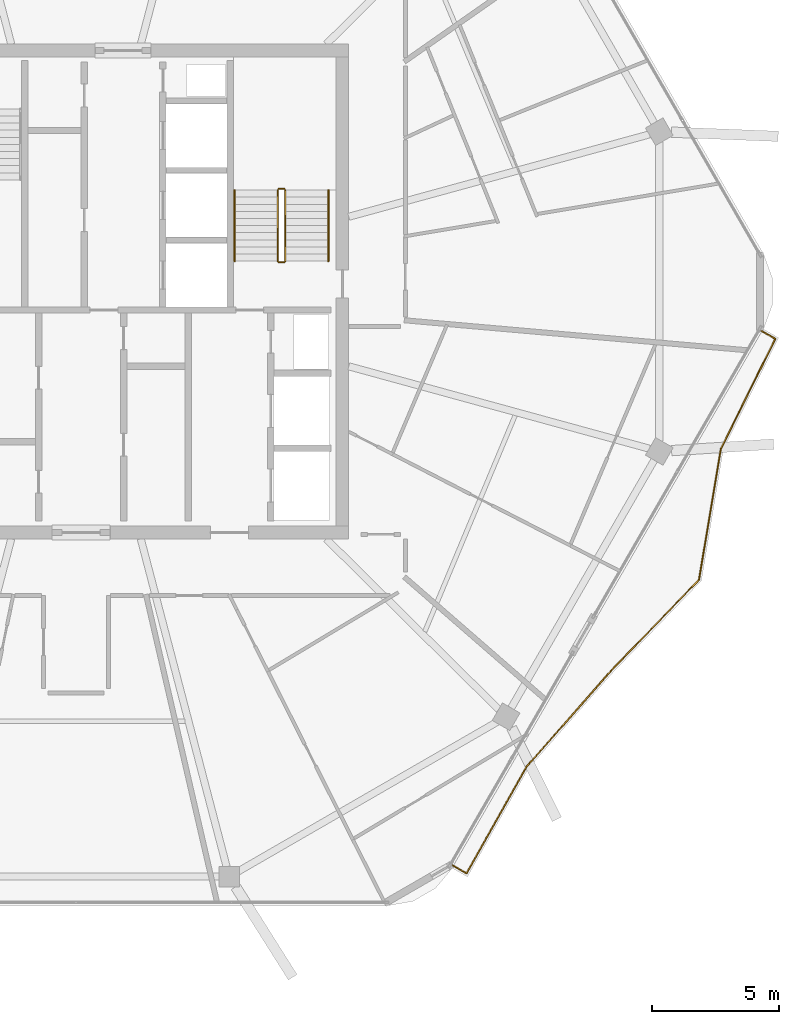
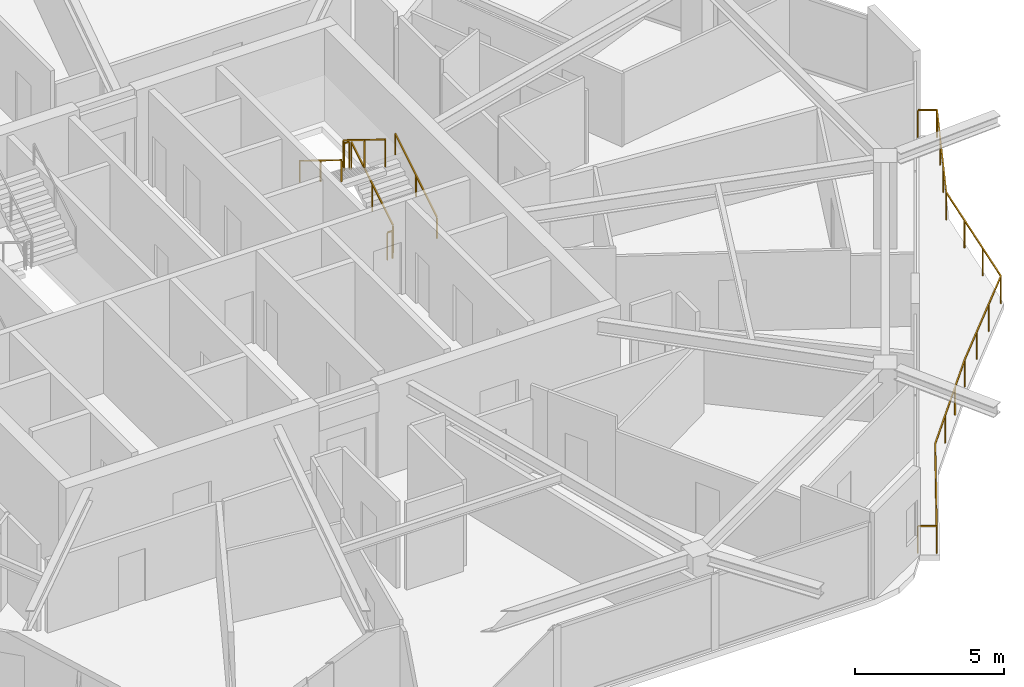
# One storey, part 18 of 19: 7 railings.
"""IFC4 building model written with IfcOpenShell, lengths in metres."""

from ifc_helpers import new_model, si_unit, direction, frame, origin, origin_2d, place, context, subcontext, project, spatial, rectangle, extrude, material, type_object, element, save


model = new_model("IFC4")

# Units and contexts
model_context = context("Model", 3, precision=1e-05, world=origin(), true_north=direction((0.0, 1.0)))
body_context = subcontext(model_context, "Body", "Model", "MODEL_VIEW")
ifc_project = project(units=[si_unit("LENGTHUNIT", "METRE"), si_unit("AREAUNIT", "SQUARE_METRE"), si_unit("VOLUMEUNIT", "CUBIC_METRE"), si_unit("PLANEANGLEUNIT", "RADIAN"), si_unit("MASSUNIT", "GRAM", prefix="KILO")], contexts=[model_context])

# Site, building, storey
site_placement = place(None, origin())
site = spatial("IfcSite", under=ifc_project, at=site_placement, CompositionType="ELEMENT")
building_placement = place(site_placement, origin())
building = spatial("IfcBuilding", under=site, at=building_placement, Name="Zuhravey Tower", CompositionType="ELEMENT")
storey_placement = place(building_placement, frame((0.0, 0.0, 327.199951171875)))
storey = spatial("IfcBuildingStorey", under=building, at=storey_placement, Name="L83", CompositionType="ELEMENT", Elevation=327.199951171875)

# Railings
ifc_material_1 = material(Name="Stainless steel 316 and laminated glass", Category="steel")
railing_type_1 = type_object("IfcRailingType", Name="Balcony & Terrace Guardrail 1150", PredefinedType="BALUSTRADE", material=ifc_material_1)
railing_1_placement = place(storey_placement, frame((63.006591796875, 30.45849609375, 0.0)))
element("IfcRailing", 1, at=railing_1_placement, inside=storey, type_object=railing_type_1, Name="L83 Face 6 Wave Balcony Guardrail GR1", PredefinedType="BALUSTRADE", context=body_context, shape_type="SweptSolid", body=[
    extrude(rectangle(XDim=0.048095703125, YDim=0.048095703125, at=origin_2d()), frame((0.001708984375, -0.0009765625, 1.1259765625), z_axis=(0.865908710228, -0.500202064721, 0.0), x_axis=(0.500202064721, 0.865908710228, 0.0)), (0.0, 0.0, 1.0), 0.642333984375),
    extrude(rectangle(XDim=0.048095703125, YDim=0.048095703125, at=origin_2d()), frame((0.55859375, -0.324951171875, 1.1259765625), z_axis=(-0.443394728576, -0.896326455412, 0.0), x_axis=(0.896326455412, -0.443394728576, 0.0)), (0.0, 0.0, 1.0), 4.834228515625),
    extrude(rectangle(XDim=0.048095703125, YDim=0.048095703125, at=origin_2d()), frame((-1.5859375, -4.661865234375, 1.1259765625), z_axis=(-0.164603610937, -0.986359798079, 0.0), x_axis=(0.986359798079, -0.164603610937, 0.0)), (0.0, 0.0, 1.0), 5.2197265625),
    extrude(rectangle(XDim=0.048095703125, YDim=0.048095703125, at=origin_2d()), frame((-2.447021484375, -9.81396484375, 1.1259765625), z_axis=(-0.69402232976, -0.719953474743, 0.0), x_axis=(0.719953474743, -0.69402232976, 0.0)), (0.0, 0.0, 1.0), 5.023681640625),
    extrude(rectangle(XDim=0.048095703125, YDim=0.048095703125, at=origin_2d()), frame((-5.93603515625, -13.43359375, 1.1259765625), z_axis=(-0.660956843047, -0.750423914618, 0.0), x_axis=(0.750423914618, -0.660956843047, 0.0)), (0.0, 0.0, 1.0), 5.014404296875),
    extrude(rectangle(XDim=0.048095703125, YDim=0.048095703125, at=origin_2d()), frame((-9.252685546875, -17.19970703125, 1.1259765625), z_axis=(-0.490605300097, -0.871381913696, 0.0), x_axis=(0.871381913696, -0.490605300097, 0.0)), (0.0, 0.0, 1.0), 4.81298828125),
    extrude(rectangle(XDim=0.048095703125, YDim=0.048095703125, at=origin_2d()), frame((-11.61669921875, -21.39453125, 1.1259765625), z_axis=(-0.865905532852, 0.500207565094, 0.0), x_axis=(-0.500207565094, -0.865905532852, 0.0)), (0.0, 0.0, 1.0), 0.635009765625),
    extrude(rectangle(XDim=0.0419921875, YDim=0.0419921875, at=origin_2d()), origin(), (0.0, 0.0, 1.0), 1.099853515625),
    extrude(rectangle(XDim=0.0419921875, YDim=0.0419921875, at=origin_2d()), frame((0.5595703125, -0.3232421875, 0.0)), (0.0, 0.0, 1.0), 1.099853515625),
    extrude(rectangle(XDim=0.0419921875, YDim=0.0419921875, at=origin_2d()), frame((-0.155517578125, -1.768798828125, 0.0)), (0.0, 0.0, 1.0), 1.099853515625),
    extrude(rectangle(XDim=0.0419921875, YDim=0.0419921875, at=origin_2d()), frame((-0.87060546875, -3.21435546875, 0.0)), (0.0, 0.0, 1.0), 1.099853515625),
    extrude(rectangle(XDim=0.0419921875, YDim=0.0419921875, at=origin_2d()), frame((-1.585693359375, -4.659912109375, 0.0)), (0.0, 0.0, 1.0), 1.099853515625),
    extrude(rectangle(XDim=0.0419921875, YDim=0.0419921875, at=origin_2d()), frame((-1.872314453125, -6.37744140625, 0.0)), (0.0, 0.0, 1.0), 1.099853515625),
    extrude(rectangle(XDim=0.0419921875, YDim=0.0419921875, at=origin_2d()), frame((-2.158935546875, -8.094970703125, 0.0)), (0.0, 0.0, 1.0), 1.099853515625),
    extrude(rectangle(XDim=0.0419921875, YDim=0.0419921875, at=origin_2d()), frame((-2.445556640625, -9.8125, 0.0)), (0.0, 0.0, 1.0), 1.099853515625),
    extrude(rectangle(XDim=0.0419921875, YDim=0.0419921875, at=origin_2d()), frame((-3.608642578125, -11.01904296875, 0.0)), (0.0, 0.0, 1.0), 1.099853515625),
    extrude(rectangle(XDim=0.0419921875, YDim=0.0419921875, at=origin_2d()), frame((-4.771728515625, -12.2255859375, 0.0)), (0.0, 0.0, 1.0), 1.099853515625),
    extrude(rectangle(XDim=0.0419921875, YDim=0.0419921875, at=origin_2d()), frame((-5.934814453125, -13.43212890625, 0.0)), (0.0, 0.0, 1.0), 1.099853515625),
    extrude(rectangle(XDim=0.0419921875, YDim=0.0419921875, at=origin_2d()), frame((-7.04052734375, -14.6875, 0.0)), (0.0, 0.0, 1.0), 1.099853515625),
    extrude(rectangle(XDim=0.0419921875, YDim=0.0419921875, at=origin_2d()), frame((-8.14599609375, -15.942626953125, 0.0)), (0.0, 0.0, 1.0), 1.099853515625),
    extrude(rectangle(XDim=0.0419921875, YDim=0.0419921875, at=origin_2d()), frame((-9.251708984375, -17.197998046875, 0.0)), (0.0, 0.0, 1.0), 1.099853515625),
    extrude(rectangle(XDim=0.0419921875, YDim=0.0419921875, at=origin_2d()), frame((-10.03955078125, -18.59716796875, 0.0)), (0.0, 0.0, 1.0), 1.099853515625),
    extrude(rectangle(XDim=0.0419921875, YDim=0.0419921875, at=origin_2d()), frame((-10.8271484375, -19.996337890625, 0.0)), (0.0, 0.0, 1.0), 1.099853515625),
    extrude(rectangle(XDim=0.0419921875, YDim=0.0419921875, at=origin_2d()), frame((-11.614990234375, -21.3955078125, 0.0)), (0.0, 0.0, 1.0), 1.099853515625),
    extrude(rectangle(XDim=0.0419921875, YDim=0.0419921875, at=origin_2d()), frame((-12.168212890625, -21.075927734375, 0.0)), (0.0, 0.0, 1.0), 1.099853515625),
])
ifc_material_2 = material(Name="Brushed stainless steel", Category="steel")
railing_type_2 = type_object("IfcRailingType", Name="Stair Wall Handrail 900", PredefinedType="HANDRAIL", material=ifc_material_2)
railing_2_placement = place(storey_placement, frame((45.949951171875, 33.199951171875, 0.1728515625)))
element("IfcRailing", 2, at=railing_2_placement, inside=storey, type_object=railing_type_2, Name="L83 ST2 stair handrail 1", PredefinedType="HANDRAIL", context=body_context, shape_type="SweptSolid", body=[
    extrude(rectangle(XDim=0.048095703125, YDim=0.048095703125, at=origin_2d()), frame((0.0, 0.001708984375, 0.876953125), z_axis=(0.0, 0.851089632645, 0.525020415988), x_axis=(-1.0, 0.0, 0.0)), (0.0, 0.0, 1.0), 3.285888671875),
    extrude(rectangle(XDim=0.0419921875, YDim=0.0419921875, at=origin_2d()), origin(), (0.0, 0.0, 1.0), 0.849853515625),
    extrude(rectangle(XDim=0.0419921875, YDim=0.0419921875, at=origin_2d()), frame((0.0, 1.39990234375, 0.86376953125)), (0.0, 0.0, 1.0), 0.849853515625),
    extrude(rectangle(XDim=0.0419921875, YDim=0.0419921875, at=origin_2d()), frame((0.0, 2.800048828125, 1.727294921875)), (0.0, 0.0, 1.0), 0.849853515625),
])
railing_3_placement = place(storey_placement, frame((42.25, 36.0, 2.07275390625)))
element("IfcRailing", 3, at=railing_3_placement, inside=storey, type_object=railing_type_2, Name="L83 ST2 stair handrail 2", PredefinedType="HANDRAIL", context=body_context, shape_type="SweptSolid", body=[
    extrude(rectangle(XDim=0.048095703125, YDim=0.048095703125, at=origin_2d()), frame((0.0, -0.001708984375, 0.876953125), z_axis=(0.0, -0.851089632645, 0.525020415988), x_axis=(1.0, 0.0, 0.0)), (0.0, 0.0, 1.0), 3.285888671875),
    extrude(rectangle(XDim=0.0419921875, YDim=0.0419921875, at=origin_2d()), origin(), (0.0, 0.0, 1.0), 0.849853515625),
    extrude(rectangle(XDim=0.0419921875, YDim=0.0419921875, at=origin_2d()), frame((0.0, -1.39990234375, 0.86376953125)), (0.0, 0.0, 1.0), 0.849853515625),
    extrude(rectangle(XDim=0.0419921875, YDim=0.0419921875, at=origin_2d()), frame((0.0, -2.800048828125, 1.727294921875)), (0.0, 0.0, 1.0), 0.849853515625),
])
ifc_material_3 = material(Name="Painted tubular steel", Category="steel")
railing_type_3 = type_object("IfcRailingType", Name="Stair Well Guardrail 1150", PredefinedType="GUARDRAIL", material=ifc_material_3)
railing_4_placement = place(storey_placement, frame((44.25, 33.199951171875, 0.1728515625)))
element("IfcRailing", 4, at=railing_4_placement, inside=storey, type_object=railing_type_3, Name="L83 ST2 stair guard 1", PredefinedType="GUARDRAIL", context=body_context, shape_type="SweptSolid", body=[
    extrude(rectangle(XDim=0.048095703125, YDim=0.048095703125, at=origin_2d()), frame((0.0, 0.001708984375, 1.126953125), z_axis=(0.0, 0.851089632645, 0.525020415988), x_axis=(-1.0, 0.0, 0.0)), (0.0, 0.0, 1.0), 3.285888671875),
    extrude(rectangle(XDim=0.0419921875, YDim=0.0419921875, at=origin_2d()), origin(), (0.0, 0.0, 1.0), 1.099853515625),
    extrude(rectangle(XDim=0.0419921875, YDim=0.0419921875, at=origin_2d()), frame((0.0, 1.39990234375, 0.86376953125)), (0.0, 0.0, 1.0), 1.099853515625),
    extrude(rectangle(XDim=0.0419921875, YDim=0.0419921875, at=origin_2d()), frame((0.0, 2.800048828125, 1.727294921875)), (0.0, 0.0, 1.0), 1.099853515625),
])
railing_5_placement = place(storey_placement, frame((44.199951171875, 36.050048828125, 1.900146484375)))
element("IfcRailing", 5, at=railing_5_placement, inside=storey, type_object=railing_type_3, Name="L83 ST2 stair guard 2", PredefinedType="GUARDRAIL", context=body_context, shape_type="SweptSolid", body=[
    extrude(rectangle(XDim=0.048095703125, YDim=0.048095703125, at=origin_2d()), frame((-0.001953125, 0.0, 1.1259765625), z_axis=(-1.0, 0.0, 0.0), x_axis=(0.0, -1.0, 0.0)), (0.0, 0.0, 1.0), 0.196044921875),
    extrude(rectangle(XDim=0.0419921875, YDim=0.0419921875, at=origin_2d()), origin(), (0.0, 0.0, 1.0), 1.099853515625),
    extrude(rectangle(XDim=0.0419921875, YDim=0.0419921875, at=origin_2d()), frame((-0.199951171875, 0.0, 0.0)), (0.0, 0.0, 1.0), 1.099853515625),
])
railing_6_placement = place(storey_placement, frame((43.949951171875, 36.0, 2.07275390625)))
element("IfcRailing", 6, at=railing_6_placement, inside=storey, type_object=railing_type_3, Name="L83 ST2 stair guard 3", PredefinedType="GUARDRAIL", context=body_context, shape_type="SweptSolid", body=[
    extrude(rectangle(XDim=0.048095703125, YDim=0.048095703125, at=origin_2d()), frame((0.0, -0.001708984375, 1.126953125), z_axis=(0.0, -0.851089632645, 0.525020415988), x_axis=(1.0, 0.0, 0.0)), (0.0, 0.0, 1.0), 3.285888671875),
    extrude(rectangle(XDim=0.0419921875, YDim=0.0419921875, at=origin_2d()), origin(), (0.0, 0.0, 1.0), 1.099853515625),
    extrude(rectangle(XDim=0.0419921875, YDim=0.0419921875, at=origin_2d()), frame((0.0, -1.39990234375, 0.86376953125)), (0.0, 0.0, 1.0), 1.099853515625),
    extrude(rectangle(XDim=0.0419921875, YDim=0.0419921875, at=origin_2d()), frame((0.0, -2.800048828125, 1.727294921875)), (0.0, 0.0, 1.0), 1.099853515625),
])
railing_7_placement = place(storey_placement, frame((44.199951171875, 33.14990234375, 0.0)))
element("IfcRailing", 7, at=railing_7_placement, inside=storey, type_object=railing_type_3, Name="L83 ST2 stair guard 4", PredefinedType="GUARDRAIL", context=body_context, shape_type="SweptSolid", body=[
    extrude(rectangle(XDim=0.048095703125, YDim=0.048095703125, at=origin_2d()), frame((-0.001953125, 0.0, 1.1259765625), z_axis=(-1.0, 0.0, 0.0), x_axis=(0.0, -1.0, 0.0)), (0.0, 0.0, 1.0), 0.196044921875),
    extrude(rectangle(XDim=0.0419921875, YDim=0.0419921875, at=origin_2d()), origin(), (0.0, 0.0, 1.0), 1.099853515625),
    extrude(rectangle(XDim=0.0419921875, YDim=0.0419921875, at=origin_2d()), frame((-0.199951171875, 0.0, 0.0)), (0.0, 0.0, 1.0), 1.099853515625),
])

save(model, "model.ifc")
